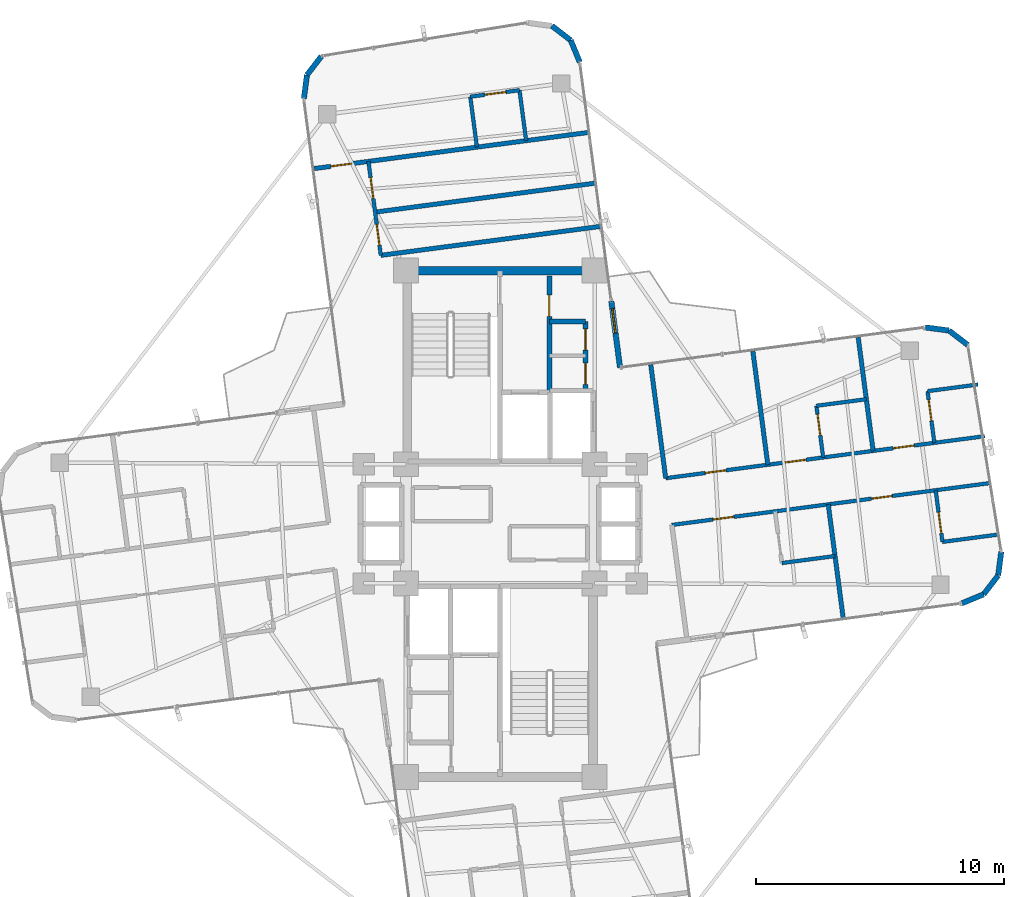
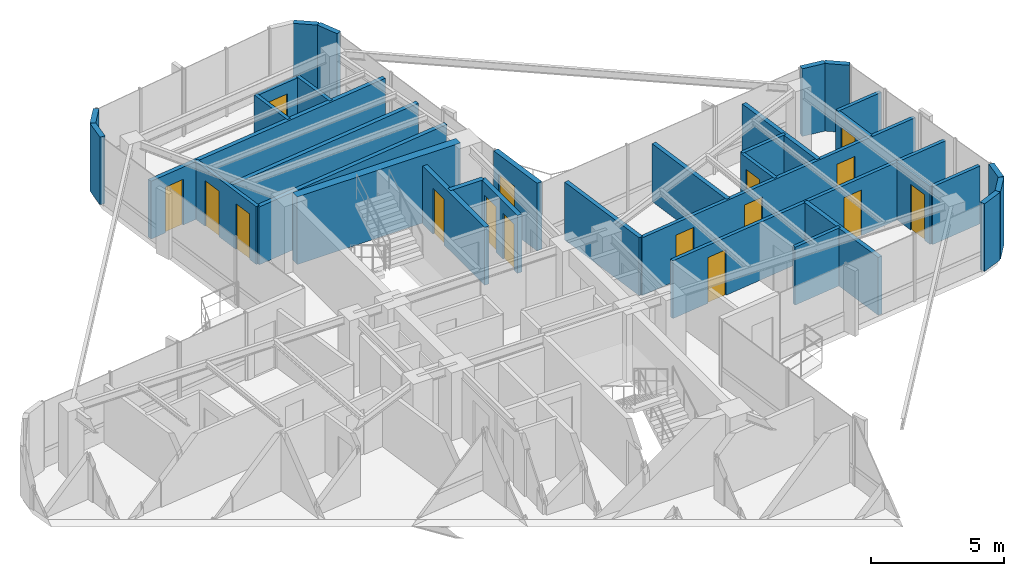
# One storey, part 21 of 23: 34 walls, 16 doors, 16 openings.
"""IFC4 building model written with IfcOpenShell, lengths in metres."""

import ifcopenshell
import ifcopenshell.guid

model = None  # the IFC model being written
_history = None  # IfcOwnerHistory: only IFC2X3 demands one
_inside = {}  # id of a spatial element -> (the spatial element, [elements in it])
_under = {}  # id of a project, library or spatial element -> (it, [spatial elements below it])
_declared = {}  # id of a project -> (the project, [libraries it declares])
_typed = {}  # id of a type object -> (the type object, [elements of that type])
_made_of = {}  # id of a material, layer set ... -> (it, [elements and type objects made of it])


def new_model(schema):
    """Start an empty IFC model of exactly this schema.

    Asked for "IFC4X3", IfcOpenShell would pick the latest addendum, in which some entities
    have other attributes; the version numbers below select the first issue.
    IFC2X3 requires an IfcOwnerHistory on every rooted entity: one is made here for all.
    """
    global model, _history
    if schema == "IFC4X3":
        model = ifcopenshell.file(schema_version=(4, 3, 0, 0))
    else:
        model = ifcopenshell.file(schema=schema)
    _inside.clear()
    _under.clear()
    _declared.clear()
    _typed.clear()
    _made_of.clear()
    _history = None
    if model.schema == "IFC2X3":
        org = make("IfcOrganization", Name="unknown")
        user = make(
            "IfcPersonAndOrganization",
            ThePerson=make("IfcPerson", FamilyName="unknown"),
            TheOrganization=org,
        )
        app = make(
            "IfcApplication",
            ApplicationDeveloper=org,
            Version="unknown",
            ApplicationFullName="unknown",
            ApplicationIdentifier="unknown",
        )
        _history = make(
            "IfcOwnerHistory",
            OwningUser=user,
            OwningApplication=app,
            ChangeAction="ADDED",
            CreationDate=0,
        )
    return model


def make(cls, **values):
    """One entity of the class cls with the attributes given. An attribute that is None is left unset."""
    return model.create_entity(
        cls, **{name: value for name, value in values.items() if value is not None}
    )


def rooted(cls, **values):
    """An entity with a GlobalId (a new one), such as an element, a storey or a relation."""
    return make(cls, GlobalId=ifcopenshell.guid.new(), OwnerHistory=_history, **values)


def si_unit(unit_type, name, prefix=None):
    """IfcSIUnit, for example si_unit("LENGTHUNIT", "METRE", prefix="MILLI")."""
    return make("IfcSIUnit", UnitType=unit_type, Prefix=prefix, Name=name)


def assignment(units):
    """IfcUnitAssignment: the units of a project."""
    return None if units is None else make("IfcUnitAssignment", Units=units)


def point(xyz):
    """IfcCartesianPoint."""
    return None if xyz is None else make("IfcCartesianPoint", Coordinates=xyz)


def direction(xyz):
    """IfcDirection."""
    return None if xyz is None else make("IfcDirection", DirectionRatios=xyz)


def frame(location, z_axis=None, x_axis=None):
    """IfcAxis2Placement3D, a coordinate frame: its origin and axes. An axis left out is left unset."""
    return make(
        "IfcAxis2Placement3D",
        Location=point(location),
        Axis=direction(z_axis),
        RefDirection=direction(x_axis),
    )


def frame_2d(location, x_axis=None):
    """IfcAxis2Placement2D, a coordinate frame in the plane: its origin and x axis."""
    return make(
        "IfcAxis2Placement2D", Location=point(location), RefDirection=direction(x_axis)
    )


def origin():
    """The frame at (0, 0, 0) with its axes left unset."""
    return frame((0.0, 0.0, 0.0))


def origin_2d():
    """The frame at (0, 0) in the plane with its x axis left unset."""
    return frame_2d((0.0, 0.0))


def place(relative_to, where):
    """IfcLocalPlacement: puts the frame where relative to a parent placement (None: the world)."""
    return make(
        "IfcLocalPlacement", PlacementRelTo=relative_to, RelativePlacement=where
    )


def context(
    kind, dimensions, precision=None, world=None, true_north=None, identifier=None
):
    """IfcGeometricRepresentationContext, for example the 3D "Model" context."""
    return make(
        "IfcGeometricRepresentationContext",
        ContextIdentifier=identifier,
        ContextType=kind,
        CoordinateSpaceDimension=dimensions,
        Precision=precision,
        WorldCoordinateSystem=world,
        TrueNorth=true_north,
    )


def subcontext(parent, identifier, kind, view, scale=None):
    """IfcGeometricRepresentationSubContext, for example "Body" below "Model"."""
    return make(
        "IfcGeometricRepresentationSubContext",
        ContextIdentifier=identifier,
        ContextType=kind,
        ParentContext=parent,
        TargetScale=scale,
        TargetView=view,
    )


def project(units=None, contexts=None):
    """IfcProject with its units and contexts."""
    return rooted(
        "IfcProject",
        Name="project",
        RepresentationContexts=contexts,
        UnitsInContext=assignment(units),
    )


def spatial(cls, under=None, at=None, **own):
    """A site, building, storey or space (cls), placed at a placement, below another one or the project."""
    s = rooted(cls, ObjectPlacement=at, **own)
    if under is not None:
        _under.setdefault(under.id(), (under, []))[1].append(s)
    return s


def profile(cls, at=None, kind="AREA", **sizes):
    """A parametric profile (cls). Its sizes go by their IFC names, for example OverallWidth=200.0."""
    return make(cls, ProfileType=kind, Position=at, **sizes)


def rectangle(**sizes):
    """IfcRectangleProfileDef."""
    return profile("IfcRectangleProfileDef", **sizes)


def extrude(swept, where, along, depth):
    """IfcExtrudedAreaSolid: the profile swept, set in the frame where, extruded along a direction by depth."""
    return make(
        "IfcExtrudedAreaSolid",
        SweptArea=swept,
        Position=where,
        ExtrudedDirection=direction(along),
        Depth=depth,
    )


def shape(context_of_items, identifier, shape_type, items):
    """IfcShapeRepresentation: the items that make up one representation, for example the "Body"."""
    return make(
        "IfcShapeRepresentation",
        ContextOfItems=context_of_items,
        RepresentationIdentifier=identifier,
        RepresentationType=shape_type,
        Items=items,
    )


def source(mapping_origin, context_of_items, identifier, shape_type, items):
    """IfcRepresentationMap: a shape defined once, which mapped items show again and again."""
    return make(
        "IfcRepresentationMap",
        MappingOrigin=mapping_origin,
        MappedRepresentation=shape(context_of_items, identifier, shape_type, items),
    )


def transform(
    local_origin,
    x_axis=None,
    y_axis=None,
    z_axis=None,
    scale=None,
    scale2=None,
    scale3=None,
    uniform=True,
):
    """IfcCartesianTransformationOperator3D, or its non-uniform kind. x_axis, y_axis, z_axis: its Axis1, 2, 3."""
    if uniform:
        return make(
            "IfcCartesianTransformationOperator3D",
            Axis1=direction(x_axis),
            Axis2=direction(y_axis),
            LocalOrigin=point(local_origin),
            Scale=scale,
            Axis3=direction(z_axis),
        )
    return make(
        "IfcCartesianTransformationOperator3DnonUniform",
        Axis1=direction(x_axis),
        Axis2=direction(y_axis),
        LocalOrigin=point(local_origin),
        Scale=scale,
        Axis3=direction(z_axis),
        Scale2=scale2,
        Scale3=scale3,
    )


def mapped(mapping_source, mapping_target):
    """IfcMappedItem: shows the shape of a source again, moved by a transform."""
    return make(
        "IfcMappedItem", MappingSource=mapping_source, MappingTarget=mapping_target
    )


def material(Name=None, Category=None):
    """IfcMaterial."""
    return make("IfcMaterial", Name=Name, Category=Category)


def layer(
    of_material, thickness, ventilated=None, Name=None, Category=None, Priority=None
):
    """IfcMaterialLayer: one layer of a wall or slab, of a material (None: an air gap)."""
    return make(
        "IfcMaterialLayer",
        Material=of_material,
        LayerThickness=thickness,
        IsVentilated=ventilated,
        Name=Name,
        Category=Category,
        Priority=Priority,
    )


def layer_set(layers, Name=None):
    """IfcMaterialLayerSet."""
    return make("IfcMaterialLayerSet", MaterialLayers=layers, LayerSetName=Name)


def made_of(thing, what):
    """Note that an element or type object is made of a material, layer set ...; save() writes the relation."""
    if what is not None:
        _made_of.setdefault(what.id(), (what, []))[1].append(thing)
    return thing


def type_object(cls, material=None, **own):
    """A type object (cls), such as IfcWallType, which elements share."""
    return made_of(rooted(cls, **own), material)


def element(
    cls,
    number,
    at=None,
    inside=None,
    cuts=None,
    type_object=None,
    material=None,
    context=None,
    identifier="Body",
    shape_type=None,
    held_by="IfcProductDefinitionShape",
    body=None,
    shapes=None,
    **own,
):
    """One element of the class cls, such as IfcWall. Its Tag is "e" and its number.

    at: its placement. inside: the storey or other place that contains it. cuts: it is an
    opening in that element (IfcRelVoidsElement). A single representation is given by context,
    identifier, shape_type and body (its items); several are given by shapes. held_by: the class
    of the entity that holds the representations. save() writes the other relations.
    """
    e = rooted(cls, Tag="e%d" % number, ObjectPlacement=at, **own)
    if body is not None:
        shapes = [shape(context, identifier, shape_type, body)]
    if shapes is not None:
        e.Representation = make(held_by, Representations=shapes)
    if inside is not None:
        _inside.setdefault(inside.id(), (inside, []))[1].append(e)
    if cuts is not None:
        rooted(
            "IfcRelVoidsElement", RelatingBuildingElement=cuts, RelatedOpeningElement=e
        )
    if type_object is not None:
        _typed.setdefault(type_object.id(), (type_object, []))[1].append(e)
    return made_of(e, material)


def fill(opening, filler):
    """IfcRelFillsElement: the door or window that sits in an opening."""
    return rooted(
        "IfcRelFillsElement",
        RelatingOpeningElement=opening,
        RelatedBuildingElement=filler,
    )


def aggregate(whole, parts):
    """IfcRelAggregates: a whole, such as a stair, and the parts it consists of."""
    return rooted("IfcRelAggregates", RelatingObject=whole, RelatedObjects=parts)


def save(model, path):
    """Write the relations noted so far, then the file.

    IfcRelAggregates (storeys below a building ...), IfcRelContainedInSpatialStructure (elements
    in a storey), IfcRelDefinesByType, IfcRelAssociatesMaterial and IfcRelDeclares: one each for
    every whole, place, type object, material and project.
    """
    for whole, parts in _under.values():
        aggregate(whole, parts)
    for where, things in _inside.values():
        rooted(
            "IfcRelContainedInSpatialStructure",
            RelatedElements=things,
            RelatingStructure=where,
        )
    for kind, things in _typed.values():
        rooted("IfcRelDefinesByType", RelatedObjects=things, RelatingType=kind)
    for what, things in _made_of.values():
        rooted("IfcRelAssociatesMaterial", RelatedObjects=things, RelatingMaterial=what)
    for by, libraries in _declared.values():
        rooted("IfcRelDeclares", RelatingContext=by, RelatedDefinitions=libraries)
    model.write(path)


model = new_model("IFC4")

# Units and contexts
model_context = context("Model", 3, precision=1e-05, world=origin(), true_north=direction((0.0, 1.0)))
body_context = subcontext(model_context, "Body", "Model", "MODEL_VIEW")
ifc_project = project(units=[si_unit("LENGTHUNIT", "METRE"), si_unit("AREAUNIT", "SQUARE_METRE"), si_unit("VOLUMEUNIT", "CUBIC_METRE"), si_unit("PLANEANGLEUNIT", "RADIAN"), si_unit("MASSUNIT", "GRAM", prefix="KILO")], contexts=[model_context])

# Site, building, storey
site_placement = place(None, origin())
site = spatial("IfcSite", under=ifc_project, at=site_placement, CompositionType="ELEMENT")
building_placement = place(site_placement, origin())
building = spatial("IfcBuilding", under=site, at=building_placement, Name="Sahyath Konkavel Grand Hotel", CompositionType="ELEMENT")
storey_placement = place(building_placement, frame((0.0, 0.0, 251.199951171875)))
storey = spatial("IfcBuildingStorey", under=building, at=storey_placement, Name="L70", CompositionType="ELEMENT", Elevation=251.199951171875)

# Walls
ifc_material_1 = material(Name="Concrete C40/50", Category="concrete")
ifc_layer_1 = layer(ifc_material_1, 0.35009765625)
ifc_layer_set_1 = layer_set([ifc_layer_1], Name="Concrete C40/50")
wall_type_1 = type_object("IfcWallType", Name="CWALL-350", PredefinedType="SHEAR", material=ifc_layer_set_1)
wall_1_placement = place(storey_placement, frame((-3.550048828125, 10.199951171875, 0.0), z_axis=(0.0, 0.0, 1.0), x_axis=(1.0, 0.0, 0.0)))
element("IfcWall", 1, at=wall_1_placement, inside=storey, type_object=wall_type_1, Name="L70 North Core Shear Wall N", PredefinedType="SHEAR", context=body_context, shape_type="SweptSolid", body=[
    extrude(rectangle(XDim=7.10009765625, YDim=0.35009765625, at=frame_2d((3.550048828125, 0.0))), origin(), (0.0, 0.0, 1.0), 3.110107421875),
])
ifc_material_2 = material(Name="Warm Buff Sandstone Insulated Concrete C40/50", Category="masonry")
ifc_layer_2 = layer(ifc_material_2, 0.219970703125)
ifc_layer_set_2 = layer_set([ifc_layer_2], Name="Warm Buff Sandstone Insulated Concrete C40/50")
wall_type_2 = type_object("IfcWallType", Name="WLL-BALC-THRESH", PredefinedType="STANDARD", material=ifc_layer_set_2)
wall_2_placement = place(storey_placement, frame((18.594970703125, -3.208251953125, 0.0), z_axis=(0.0, 0.0, 1.0), x_axis=(0.923852099304, 0.382749655273, 0.0)))
element("IfcWall", 2, at=wall_2_placement, inside=storey, type_object=wall_type_2, Name="L70 Rounded Corner Sandstone Pier 1", PredefinedType="STANDARD", context=body_context, shape_type="SweptSolid", body=[
    extrude(rectangle(XDim=0.95751953125, YDim=0.219970703125, at=frame_2d((0.478759765625, 0.0))), origin(), (0.0, 0.0, 1.0), 3.110107421875),
])
wall_3_placement = place(storey_placement, frame((19.4794921875, -2.841796875, 0.0), z_axis=(0.0, 0.0, 1.0), x_axis=(0.608774010809, 0.793343685778, 0.0)))
element("IfcWall", 3, at=wall_3_placement, inside=storey, type_object=wall_type_2, Name="L70 Rounded Corner Sandstone Pier 2", PredefinedType="STANDARD", context=body_context, shape_type="SweptSolid", body=[
    extrude(rectangle(XDim=0.957763671875, YDim=0.219970703125, at=frame_2d((0.47900390625, 0.0))), origin(), (0.0, 0.0, 1.0), 3.110107421875),
])
wall_4_placement = place(storey_placement, frame((20.0625, -2.08203125, 0.0), z_axis=(0.0, 0.0, 1.0), x_axis=(0.13056005306, 0.991440402921, 0.0)))
element("IfcWall", 4, at=wall_4_placement, inside=storey, type_object=wall_type_2, Name="L70 Rounded Corner Sandstone Pier 3", PredefinedType="STANDARD", context=body_context, shape_type="SweptSolid", body=[
    extrude(rectangle(XDim=0.95751953125, YDim=0.219970703125, at=frame_2d((0.478759765625, 0.0))), origin(), (0.0, 0.0, 1.0), 3.110107421875),
])
for number, where, z_axis, x_axis, name in (
    (5, (18.840087890625, 7.20361328125, 0.0), (0.0, 0.0, 1.0), (-0.793343685778, 0.608774010809, 0.0), "L70 Rounded Corner Sandstone Pier 5"),
    (6, (18.080322265625, 7.78662109375, 0.0), (0.0, 0.0, 1.0), (-0.991444747987, 0.130527053476, 0.0), "L70 Rounded Corner Sandstone Pier 6"),
):
    element("IfcWall", number, at=place(storey_placement, frame(where, z_axis=z_axis, x_axis=x_axis)), inside=storey, type_object=wall_type_2, Name=name, PredefinedType="STANDARD", context=body_context, shape_type="SweptSolid", body=[
        extrude(rectangle(XDim=0.957763671875, YDim=0.219970703125, at=frame_2d((0.47900390625, 0.0))), origin(), (0.0, 0.0, 1.0), 3.110107421875),
    ])

# Wall, opening, door
wall_5_placement = place(storey_placement, frame((4.827880859375, 6.2919921875, 0.0), z_axis=(0.0, 0.0, 1.0), x_axis=(-0.130475563272, 0.991451525486, 0.0)))
wall_5 = element("IfcWall", 7, at=wall_5_placement, inside=storey, type_object=wall_type_2, Name="L70 Winter-Garden Threshold Wall 8", PredefinedType="STANDARD", context=body_context, shape_type="SweptSolid", body=[
    extrude(rectangle(XDim=2.7001953125, YDim=0.219970703125, at=frame_2d((1.35009765625, 0.0))), origin(), (0.0, 0.0, 1.0), 3.110107421875),
])
opening_1_placement = place(wall_5_placement, frame((1.39990234375, 0.0, 0.0)))
opening_1 = element("IfcOpeningElement", 8, at=opening_1_placement, cuts=wall_5, Name="Opening D-TR1", PredefinedType="OPENING", context=body_context, shape_type="SweptSolid", body=[
    extrude(rectangle(XDim=1.0, YDim=2.199951171875, at=frame_2d((0.5, 1.10009765625))), frame((0.0, 0.1201171875, 0.0), z_axis=(0.0, -1.0, 0.0), x_axis=(1.0, 0.0, 0.0)), (0.0, 0.0, 1.0), 0.239990234375),
])
ifc_material_3 = material(Name="Anodised Bronze Aluminium & Low-E Glazing", Category="aluminium")
door_type_1 = type_object("IfcDoorType", Name="DR-TERRACE-1000", OperationType="NOTDEFINED", PredefinedType="DOOR", material=ifc_material_3)
shared_shape_1 = source(origin(), body_context, "Body", "SweptSolid", [
    extrude(rectangle(XDim=1.0, YDim=0.050048828125, at=origin_2d()), origin(), (0.0, 0.0, 1.0), 2.199951171875),
])
door_1_placement = place(opening_1_placement, frame((0.5, 0.0, 0.0)))
door_1 = element("IfcDoor", 9, at=door_1_placement, inside=storey, type_object=door_type_1, Name="L70 Winter-Garden Terrace Door 8", OperationType="SINGLE_SWING_LEFT", OverallHeight=2.199951171875, OverallWidth=1.0, PredefinedType="DOOR", context=body_context, shape_type="MappedRepresentation", body=[
    mapped(shared_shape_1, transform((0.0, 0.0, 0.0), scale=1.0)),
])
fill(opening_1, door_1)

# Walls
wall_6_placement = place(storey_placement, frame((3.208251953125, 18.594970703125, 0.0), z_axis=(0.0, 0.0, 1.0), x_axis=(-0.382749655273, 0.923852099304, 0.0)))
element("IfcWall", 10, at=wall_6_placement, inside=storey, type_object=wall_type_2, Name="L70 Rounded Corner Sandstone Pier 9", PredefinedType="STANDARD", context=body_context, shape_type="SweptSolid", body=[
    extrude(rectangle(XDim=0.95751953125, YDim=0.219970703125, at=frame_2d((0.478759765625, 0.0))), origin(), (0.0, 0.0, 1.0), 3.110107421875),
])
for number, where, z_axis, x_axis, name in (
    (11, (2.841796875, 19.4794921875, 0.0), (0.0, 0.0, 1.0), (-0.793343685778, 0.608774010809, 0.0), "L70 Rounded Corner Sandstone Pier 10"),
    (12, (-7.20361328125, 18.840087890625, 0.0), (0.0, 0.0, 1.0), (-0.608774010809, -0.793343685778, 0.0), "L70 Rounded Corner Sandstone Pier 13"),
    (13, (-7.78662109375, 18.080322265625, 0.0), (0.0, 0.0, 1.0), (-0.130527053476, -0.991444747987, 0.0), "L70 Rounded Corner Sandstone Pier 14"),
):
    element("IfcWall", number, at=place(storey_placement, frame(where, z_axis=z_axis, x_axis=x_axis)), inside=storey, type_object=wall_type_2, Name=name, PredefinedType="STANDARD", context=body_context, shape_type="SweptSolid", body=[
        extrude(rectangle(XDim=0.957763671875, YDim=0.219970703125, at=frame_2d((0.47900390625, 0.0))), origin(), (0.0, 0.0, 1.0), 3.110107421875),
    ])

# Wall, opening, door
ifc_layer_3 = layer(ifc_material_1, 0.199951171875)
ifc_layer_set_3 = layer_set([ifc_layer_3], Name="Concrete C40/50")
wall_type_3 = type_object("IfcWallType", Name="WLL-CORE-200", PredefinedType="SOLIDWALL", material=ifc_layer_set_3)
wall_7_placement = place(storey_placement, frame((1.97998046875, 5.320068359375, 0.0), z_axis=(0.0, 0.0, 1.0), x_axis=(0.0, 1.0, 0.0)))
wall_7 = element("IfcWall", 14, at=wall_7_placement, inside=storey, type_object=wall_type_3, Name="L70 North Firefighting Lobby Wall E", PredefinedType="SOLIDWALL", context=body_context, shape_type="SweptSolid", body=[
    extrude(rectangle(XDim=4.659912109375, YDim=0.199951171875, at=frame_2d((2.330078125, 0.0))), origin(), (0.0, 0.0, 1.0), 2.66015625),
])
opening_2_placement = place(wall_7_placement, frame((3.0400390625, 0.0, 0.0)))
opening_2 = element("IfcOpeningElement", 15, at=opening_2_placement, cuts=wall_7, Name="Opening D-F12D", PredefinedType="OPENING", context=body_context, shape_type="SweptSolid", body=[
    extrude(rectangle(XDim=0.85009765625, YDim=2.10009765625, at=frame_2d((0.425048828125, 1.050048828125))), frame((0.0, 0.10986328125, 0.0), z_axis=(0.0, -1.0, 0.0), x_axis=(1.0, 0.0, 0.0)), (0.0, 0.0, 1.0), 0.219970703125),
])
ifc_material_4 = material(Name="Steel E350 Core Fire Door", Category="steel")
door_type_2 = type_object("IfcDoorType", Name="DR-FD120-850", OperationType="NOTDEFINED", PredefinedType="DOOR", material=ifc_material_4)
shared_shape_2 = source(origin(), body_context, "Body", "SweptSolid", [
    extrude(rectangle(XDim=0.85009765625, YDim=0.050048828125, at=origin_2d()), origin(), (0.0, 0.0, 1.0), 2.10009765625),
])
door_2_placement = place(opening_2_placement, frame((0.425048828125, 0.0, 0.0)))
door_2 = element("IfcDoor", 16, at=door_2_placement, inside=storey, type_object=door_type_2, Name="L70 North Firefighting Lobby Door", OperationType="SINGLE_SWING_RIGHT", OverallHeight=2.10009765625, OverallWidth=0.85009765625, PredefinedType="DOOR", context=body_context, shape_type="MappedRepresentation", body=[
    mapped(shared_shape_2, transform((0.0, 0.0, 0.0), scale=1.0)),
])
fill(opening_2, door_2)

# Wall, openings, doors
wall_8_placement = place(storey_placement, frame((3.43994140625, 5.3798828125, 0.0), z_axis=(0.0, 0.0, 1.0), x_axis=(0.0, 1.0, 0.0)))
wall_8 = element("IfcWall", 17, at=wall_8_placement, inside=storey, type_object=wall_type_3, Name="L70 Reclaimed North Core Wall E", PredefinedType="SOLIDWALL", context=body_context, shape_type="SweptSolid", body=[
    extrude(rectangle(XDim=2.77001953125, YDim=0.199951171875, at=frame_2d((1.385009765625, 0.0))), origin(), (0.0, 0.0, 1.0), 2.66015625),
])
opening_3_placement = place(wall_8_placement, frame((0.239990234375, 0.0, 0.0)))
opening_3 = element("IfcOpeningElement", 18, at=opening_3_placement, cuts=wall_8, Name="Opening D-F06D", PredefinedType="OPENING", context=body_context, shape_type="SweptSolid", body=[
    extrude(rectangle(XDim=0.85009765625, YDim=2.10009765625, at=frame_2d((0.425048828125, 1.050048828125))), frame((0.0, 0.10986328125, 0.0), z_axis=(0.0, -1.0, 0.0), x_axis=(1.0, 0.0, 0.0)), (0.0, 0.0, 1.0), 0.219970703125),
])
opening_4_placement = place(wall_8_placement, frame((1.6201171875, 0.0, 0.0)))
opening_4 = element("IfcOpeningElement", 19, at=opening_4_placement, cuts=wall_8, Name="Opening D-F06D", PredefinedType="OPENING", context=body_context, shape_type="SweptSolid", body=[
    extrude(rectangle(XDim=0.85009765625, YDim=2.10009765625, at=frame_2d((0.425048828125, 1.050048828125))), frame((0.0, 0.10986328125, 0.0), z_axis=(0.0, -1.0, 0.0), x_axis=(1.0, 0.0, 0.0)), (0.0, 0.0, 1.0), 0.219970703125),
])
ifc_material_5 = material(Name="Fire-Rated Shaft Access Door")
door_type_3 = type_object("IfcDoorType", Name="DR-FD60-850", OperationType="NOTDEFINED", PredefinedType="DOOR", material=ifc_material_5)
door_3_placement = place(opening_3_placement, frame((0.425048828125, 0.0, 0.0)))
door_3 = element("IfcDoor", 20, at=door_3_placement, inside=storey, type_object=door_type_3, Name="L70 Door NC-REC1-D", OperationType="SINGLE_SWING_RIGHT", OverallHeight=2.10009765625, OverallWidth=0.85009765625, PredefinedType="DOOR", context=body_context, shape_type="MappedRepresentation", body=[
    mapped(shared_shape_2, transform((0.0, 0.0, 0.0), scale=1.0)),
])
fill(opening_3, door_3)
door_4_placement = place(opening_4_placement, frame((0.425048828125, 0.0, 0.0)))
door_4 = element("IfcDoor", 21, at=door_4_placement, inside=storey, type_object=door_type_3, Name="L70 Door NC-REC2-D", OperationType="SINGLE_SWING_LEFT", OverallHeight=2.10009765625, OverallWidth=0.85009765625, PredefinedType="DOOR", context=body_context, shape_type="MappedRepresentation", body=[
    mapped(shared_shape_2, transform((0.0, 0.0, 0.0), scale=1.0)),
])
fill(opening_4, door_4)

# Walls
wall_9_placement = place(storey_placement, frame((1.97998046875, 8.14990234375, 0.0), z_axis=(0.0, 0.0, 1.0), x_axis=(1.0, 0.0, 0.0)))
element("IfcWall", 22, at=wall_9_placement, inside=storey, type_object=wall_type_3, Name="L70 Partition NC-REC-N", PredefinedType="SOLIDWALL", context=body_context, shape_type="SweptSolid", body=[
    extrude(rectangle(XDim=1.4599609375, YDim=0.199951171875, at=frame_2d((0.72998046875, 0.0))), origin(), (0.0, 0.0, 1.0), 2.66015625),
])
ifc_material_6 = material(Name="Twin-Stud Acoustic Gypsum Plasterboard Partition")
ifc_layer_4 = layer(ifc_material_6, 0.179931640625)
ifc_layer_set_4 = layer_set([ifc_layer_4], Name="Twin-Stud Acoustic Gypsum Plasterboard Partition")
wall_type_4 = type_object("IfcWallType", Name="WLL-DEMISE-180", PredefinedType="PARTITIONING", material=ifc_layer_set_4)
for number, where, z_axis, x_axis, name in (
    (23, (6.66748046875, 1.8359375, 0.0), (0.0, 0.0, 1.0), (-0.130546336939, 0.991442209063, 0.0), "L70 Partition E-INL"),
    (24, (10.781005859375, 2.37744140625, 0.0), (0.0, 0.0, 1.0), (-0.130546336939, 0.991442209063, 0.0), "L70 Partition E-E1L-DEM"),
    (25, (15.0244140625, 2.936279296875, 0.0), (0.0, 0.0, 1.0), (-0.130546336939, 0.991442209063, 0.0), "L70 Partition E-E2L-DEM"),
):
    element("IfcWall", number, at=place(storey_placement, frame(where, z_axis=z_axis, x_axis=x_axis)), inside=storey, type_object=wall_type_4, Name=name, PredefinedType="PARTITIONING", context=body_context, shape_type="SweptSolid", body=[
        extrude(rectangle(XDim=4.608154296875, YDim=0.179931640625, at=frame_2d((2.30419921875, 0.0))), origin(), (0.0, 0.0, 1.0), 2.66015625),
    ])
wall_10_placement = place(storey_placement, frame((13.215087890625, 0.781494140625, 0.0), z_axis=(0.0, 0.0, 1.0), x_axis=(0.130494257859, -0.991449065089, 0.0)))
element("IfcWall", 26, at=wall_10_placement, inside=storey, type_object=wall_type_4, Name="L70 Partition E-E1R-DEM", PredefinedType="PARTITIONING", context=body_context, shape_type="SweptSolid", body=[
    extrude(rectangle(XDim=4.60791015625, YDim=0.179931640625, at=frame_2d((2.303955078125, 0.0))), origin(), (0.0, 0.0, 1.0), 2.66015625),
])
wall_11_placement = place(storey_placement, frame((4.029052734375, 11.978515625, 0.0), z_axis=(0.0, 0.0, 1.0), x_axis=(-0.991444413588, -0.130529593448, 0.0)))
element("IfcWall", 27, at=wall_11_placement, inside=storey, type_object=wall_type_4, Name="L70 Partition N-G5I", PredefinedType="PARTITIONING", context=body_context, shape_type="SweptSolid", body=[
    extrude(rectangle(XDim=8.916015625, YDim=0.179931640625, at=frame_2d((4.4580078125, 0.0))), origin(), (0.0, 0.0, 1.0), 2.66015625),
])
wall_12_placement = place(storey_placement, frame((-5.039794921875, 12.5556640625, 0.0), z_axis=(0.0, 0.0, 1.0), x_axis=(0.991447490446, 0.130506220882, 0.0)))
element("IfcWall", 28, at=wall_12_placement, inside=storey, type_object=wall_type_4, Name="L70 Partition N-ND1-DEM", PredefinedType="PARTITIONING", context=body_context, shape_type="SweptSolid", body=[
    extrude(rectangle(XDim=8.915771484375, YDim=0.179931640625, at=frame_2d((4.4580078125, 0.0))), origin(), (0.0, 0.0, 1.0), 2.66015625),
])

# Wall, opening, door
wall_13_placement = place(storey_placement, frame((3.53076171875, 15.7626953125, 0.0), z_axis=(0.0, 0.0, 1.0), x_axis=(-0.991444649322, -0.130527802905, 0.0)))
wall_13 = element("IfcWall", 29, at=wall_13_placement, inside=storey, type_object=wall_type_4, Name="L70 Partition N-NTIP-END", PredefinedType="PARTITIONING", context=body_context, shape_type="SweptSolid", body=[
    extrude(rectangle(XDim=11.115966796875, YDim=0.179931640625, at=frame_2d((5.55810546875, 0.0))), origin(), (0.0, 0.0, 1.0), 2.66015625),
])
opening_5_placement = place(wall_13_placement, frame((9.591064453125, 0.0, 0.0)))
opening_5 = element("IfcOpeningElement", 30, at=opening_5_placement, cuts=wall_13, Name="Opening D-F06D", PredefinedType="OPENING", context=body_context, shape_type="SweptSolid", body=[
    extrude(rectangle(XDim=0.85009765625, YDim=2.10009765625, at=frame_2d((0.425048828125, 1.050048828125))), frame((0.0, 0.10009765625, 0.0), z_axis=(0.0, -1.0, 0.0), x_axis=(1.0, 0.0, 0.0)), (0.0, 0.0, 1.0), 0.199951171875),
])
door_5_placement = place(opening_5_placement, frame((0.425048828125, 0.0, 0.0)))
door_5 = element("IfcDoor", 31, at=door_5_placement, inside=storey, type_object=door_type_3, Name="L70 Door N-NTIP-ED", OperationType="SINGLE_SWING_RIGHT", OverallHeight=2.10009765625, OverallWidth=0.85009765625, PredefinedType="DOOR", context=body_context, shape_type="MappedRepresentation", body=[
    mapped(shared_shape_2, transform((0.0, 0.0, 0.0), scale=1.0)),
])
fill(opening_5, door_5)

# Wall, openings, doors
ifc_material_7 = material(Name="Fire-Rated Gypsum Plasterboard Partition")
ifc_layer_5 = layer(ifc_material_7, 0.14990234375)
ifc_layer_set_5 = layer_set([ifc_layer_5], Name="Fire-Rated Gypsum Plasterboard Partition")
wall_type_5 = type_object("IfcWallType", Name="WLL-PART-150", PredefinedType="PARTITIONING", material=ifc_layer_set_5)
wall_14_placement = place(storey_placement, frame((6.66748046875, 1.8359375, 0.0), z_axis=(0.0, 0.0, 1.0), x_axis=(0.991443782493, 0.130534386874, 0.0)))
wall_14 = element("IfcWall", 32, at=wall_14_placement, inside=storey, type_object=wall_type_5, Name="L70 Partition E-CL", PredefinedType="PARTITIONING", context=body_context, shape_type="SweptSolid", body=[
    extrude(rectangle(XDim=12.966796875, YDim=0.14990234375, at=frame_2d((6.4833984375, 0.0))), origin(), (0.0, 0.0, 1.0), 2.66015625),
])
opening_6_placement = place(wall_14_placement, frame((1.60009765625, 0.0, 0.0)))
opening_6 = element("IfcOpeningElement", 33, at=opening_6_placement, cuts=wall_14, Name="Opening D-F06D", PredefinedType="OPENING", context=body_context, shape_type="SweptSolid", body=[
    extrude(rectangle(XDim=0.85009765625, YDim=2.10009765625, at=frame_2d((0.425048828125, 1.050048828125))), frame((0.0, 0.0849609375, 0.0), z_axis=(0.0, -1.0, 0.0), x_axis=(1.0, 0.0, 0.0)), (0.0, 0.0, 1.0), 0.169921875),
])
opening_7_placement = place(wall_14_placement, frame((4.84912109375, 0.0, 0.0)))
opening_7 = element("IfcOpeningElement", 34, at=opening_7_placement, cuts=wall_14, Name="Opening D-F06D", PredefinedType="OPENING", context=body_context, shape_type="SweptSolid", body=[
    extrude(rectangle(XDim=0.85009765625, YDim=2.10009765625, at=frame_2d((0.425048828125, 1.050048828125))), frame((0.0, 0.0849609375, 0.0), z_axis=(0.0, -1.0, 0.0), x_axis=(1.0, 0.0, 0.0)), (0.0, 0.0, 1.0), 0.169921875),
])
opening_8_placement = place(wall_14_placement, frame((9.248046875, 0.0, 0.0)))
opening_8 = element("IfcOpeningElement", 35, at=opening_8_placement, cuts=wall_14, Name="Opening D-F06D", PredefinedType="OPENING", context=body_context, shape_type="SweptSolid", body=[
    extrude(rectangle(XDim=0.85009765625, YDim=2.10009765625, at=frame_2d((0.425048828125, 1.050048828125))), frame((0.0, 0.0849609375, 0.0), z_axis=(0.0, -1.0, 0.0), x_axis=(1.0, 0.0, 0.0)), (0.0, 0.0, 1.0), 0.169921875),
])
door_6_placement = place(opening_6_placement, frame((0.425048828125, 0.0, 0.0)))
door_6 = element("IfcDoor", 36, at=door_6_placement, inside=storey, type_object=door_type_3, Name="L70 Door E-E1L-D", OperationType="SINGLE_SWING_RIGHT", OverallHeight=2.10009765625, OverallWidth=0.85009765625, PredefinedType="DOOR", context=body_context, shape_type="MappedRepresentation", body=[
    mapped(shared_shape_2, transform((0.0, 0.0, 0.0), scale=1.0)),
])
fill(opening_6, door_6)
door_7_placement = place(opening_7_placement, frame((0.425048828125, 0.0, 0.0)))
door_7 = element("IfcDoor", 37, at=door_7_placement, inside=storey, type_object=door_type_3, Name="L70 Door E-E2L-ED", OperationType="SINGLE_SWING_RIGHT", OverallHeight=2.10009765625, OverallWidth=0.85009765625, PredefinedType="DOOR", context=body_context, shape_type="MappedRepresentation", body=[
    mapped(shared_shape_2, transform((0.0, 0.0, 0.0), scale=1.0)),
])
fill(opening_7, door_7)
door_8_placement = place(opening_8_placement, frame((0.425048828125, 0.0, 0.0)))
door_8 = element("IfcDoor", 38, at=door_8_placement, inside=storey, type_object=door_type_3, Name="L70 Door E-E3L-ED", OperationType="SINGLE_SWING_RIGHT", OverallHeight=2.10009765625, OverallWidth=0.85009765625, PredefinedType="DOOR", context=body_context, shape_type="MappedRepresentation", body=[
    mapped(shared_shape_2, transform((0.0, 0.0, 0.0), scale=1.0)),
])
fill(opening_8, door_8)

wall_15_placement = place(storey_placement, frame((6.915283203125, -0.0478515625, 0.0), z_axis=(0.0, 0.0, 1.0), x_axis=(0.991444103298, 0.130531950249, 0.0)))
wall_15 = element("IfcWall", 39, at=wall_15_placement, inside=storey, type_object=wall_type_5, Name="L70 Partition E-CR", PredefinedType="PARTITIONING", context=body_context, shape_type="SweptSolid", body=[
    extrude(rectangle(XDim=12.967041015625, YDim=0.14990234375, at=frame_2d((6.4833984375, 0.0))), origin(), (0.0, 0.0, 1.0), 2.66015625),
])
opening_9_placement = place(wall_15_placement, frame((1.672119140625, 0.0, 0.0)))
opening_9 = element("IfcOpeningElement", 40, at=opening_9_placement, cuts=wall_15, Name="Opening D-F06D", PredefinedType="OPENING", context=body_context, shape_type="SweptSolid", body=[
    extrude(rectangle(XDim=0.85009765625, YDim=2.10009765625, at=frame_2d((0.425048828125, 1.050048828125))), frame((0.0, 0.0849609375, 0.0), z_axis=(0.0, -1.0, 0.0), x_axis=(1.0, 0.0, 0.0)), (0.0, 0.0, 1.0), 0.169921875),
])
opening_10_placement = place(wall_15_placement, frame((8.111083984375, 0.0, 0.0)))
opening_10 = element("IfcOpeningElement", 41, at=opening_10_placement, cuts=wall_15, Name="Opening D-F06D", PredefinedType="OPENING", context=body_context, shape_type="SweptSolid", body=[
    extrude(rectangle(XDim=0.85009765625, YDim=2.10009765625, at=frame_2d((0.425048828125, 1.050048828125))), frame((0.0, 0.0849609375, 0.0), z_axis=(0.0, -1.0, 0.0), x_axis=(1.0, 0.0, 0.0)), (0.0, 0.0, 1.0), 0.169921875),
])
door_9_placement = place(opening_9_placement, frame((0.425048828125, 0.0, 0.0)))
door_9 = element("IfcDoor", 42, at=door_9_placement, inside=storey, type_object=door_type_3, Name="L70 Door E-E1R-ED", OperationType="SINGLE_SWING_RIGHT", OverallHeight=2.10009765625, OverallWidth=0.85009765625, PredefinedType="DOOR", context=body_context, shape_type="MappedRepresentation", body=[
    mapped(shared_shape_2, transform((0.0, 0.0, 0.0), scale=1.0)),
])
fill(opening_9, door_9)
door_10_placement = place(opening_10_placement, frame((0.425048828125, 0.0, 0.0)))
door_10 = element("IfcDoor", 43, at=door_10_placement, inside=storey, type_object=door_type_3, Name="L70 Door E-E2R-ED", OperationType="SINGLE_SWING_RIGHT", OverallHeight=2.10009765625, OverallWidth=0.85009765625, PredefinedType="DOOR", context=body_context, shape_type="MappedRepresentation", body=[
    mapped(shared_shape_2, transform((0.0, 0.0, 0.0), scale=1.0)),
])
fill(opening_10, door_10)

# Wall, opening, door
wall_16_placement = place(storey_placement, frame((13.01171875, 2.671142578125, 0.0), z_axis=(0.0, 0.0, 1.0), x_axis=(-0.130556761174, 0.991440836415, 0.0)))
wall_16 = element("IfcWall", 44, at=wall_16_placement, inside=storey, type_object=wall_type_5, Name="L70 Partition E-E2L-BS", PredefinedType="PARTITIONING", context=body_context, shape_type="SweptSolid", body=[
    extrude(rectangle(XDim=2.10009765625, YDim=0.14990234375, at=frame_2d((1.050048828125, 0.0))), origin(), (0.0, 0.0, 1.0), 2.66015625),
])
opening_11_placement = place(wall_16_placement, frame((0.89990234375, 0.0, 0.0)))
opening_11 = element("IfcOpeningElement", 45, at=opening_11_placement, cuts=wall_16, Name="Opening D-BT85", PredefinedType="OPENING", context=body_context, shape_type="SweptSolid", body=[
    extrude(rectangle(XDim=0.85009765625, YDim=2.10009765625, at=frame_2d((0.425048828125, 1.050048828125))), frame((0.0, 0.0849609375, 0.0), z_axis=(0.0, -1.0, 0.0), x_axis=(1.0, 0.0, 0.0)), (0.0, 0.0, 1.0), 0.169921875),
])
ifc_material_8 = material(Name="Moisture-Resistant Teak Bathroom Door")
door_type_4 = type_object("IfcDoorType", Name="DR-BATH-850", OperationType="NOTDEFINED", PredefinedType="DOOR", material=ifc_material_8)
door_11_placement = place(opening_11_placement, frame((0.425048828125, 0.0, 0.0)))
door_11 = element("IfcDoor", 46, at=door_11_placement, inside=storey, type_object=door_type_4, Name="L70 Door E-E2L-BD", OperationType="SINGLE_SWING_LEFT", OverallHeight=2.10009765625, OverallWidth=0.85009765625, PredefinedType="DOOR", context=body_context, shape_type="MappedRepresentation", body=[
    mapped(shared_shape_2, transform((0.0, 0.0, 0.0), scale=1.0)),
])
fill(opening_11, door_11)

# Wall
wall_17_placement = place(storey_placement, frame((12.737548828125, 4.753173828125, 0.0), z_axis=(0.0, 0.0, 1.0), x_axis=(0.991434636424, 0.130603834929, 0.0)))
element("IfcWall", 47, at=wall_17_placement, inside=storey, type_object=wall_type_5, Name="L70 Partition E-E2L-BF", PredefinedType="PARTITIONING", context=body_context, shape_type="SweptSolid", body=[
    extrude(rectangle(XDim=2.030029296875, YDim=0.14990234375, at=frame_2d((1.01513671875, 0.0))), origin(), (0.0, 0.0, 1.0), 2.66015625),
])

# Wall, opening, door
wall_18_placement = place(storey_placement, frame((17.490966796875, 3.260986328125, 0.0), z_axis=(0.0, 0.0, 1.0), x_axis=(-0.130556761174, 0.991440836415, 0.0)))
wall_18 = element("IfcWall", 48, at=wall_18_placement, inside=storey, type_object=wall_type_5, Name="L70 Partition E-E3L-BS", PredefinedType="PARTITIONING", context=body_context, shape_type="SweptSolid", body=[
    extrude(rectangle(XDim=2.10009765625, YDim=0.14990234375, at=frame_2d((1.050048828125, 0.0))), origin(), (0.0, 0.0, 1.0), 2.66015625),
])
opening_12_placement = place(wall_18_placement, frame((0.89990234375, 0.0, 0.0)))
opening_12 = element("IfcOpeningElement", 49, at=opening_12_placement, cuts=wall_18, Name="Opening D-BT85", PredefinedType="OPENING", context=body_context, shape_type="SweptSolid", body=[
    extrude(rectangle(XDim=0.85009765625, YDim=2.10009765625, at=frame_2d((0.425048828125, 1.050048828125))), frame((0.0, 0.0849609375, 0.0), z_axis=(0.0, -1.0, 0.0), x_axis=(1.0, 0.0, 0.0)), (0.0, 0.0, 1.0), 0.169921875),
])
door_12_placement = place(opening_12_placement, frame((0.425048828125, 0.0, 0.0)))
door_12 = element("IfcDoor", 50, at=door_12_placement, inside=storey, type_object=door_type_4, Name="L70 Door E-E3L-BD", OperationType="SINGLE_SWING_LEFT", OverallHeight=2.10009765625, OverallWidth=0.85009765625, PredefinedType="DOOR", context=body_context, shape_type="MappedRepresentation", body=[
    mapped(shared_shape_2, transform((0.0, 0.0, 0.0), scale=1.0)),
])
fill(opening_12, door_12)

# Walls
wall_19_placement = place(storey_placement, frame((17.216796875, 5.343017578125, 0.0), z_axis=(0.0, 0.0, 1.0), x_axis=(0.991446998513, 0.130509958008, 0.0)))
element("IfcWall", 51, at=wall_19_placement, inside=storey, type_object=wall_type_5, Name="L70 Partition E-E3L-BF", PredefinedType="PARTITIONING", context=body_context, shape_type="SweptSolid", body=[
    extrude(rectangle(XDim=2.05029296875, YDim=0.14990234375, at=frame_2d((1.025146484375, 0.0))), origin(), (0.0, 0.0, 1.0), 2.66015625),
])
wall_20_placement = place(storey_placement, frame((11.34765625, -1.58251953125, 0.0), z_axis=(0.0, 0.0, 1.0), x_axis=(0.991426187054, 0.130667959438, 0.0)))
element("IfcWall", 52, at=wall_20_placement, inside=storey, type_object=wall_type_5, Name="L70 Partition E-E1R-BF", PredefinedType="PARTITIONING", context=body_context, shape_type="SweptSolid", body=[
    extrude(rectangle(XDim=2.159912109375, YDim=0.14990234375, at=frame_2d((1.080078125, 0.0))), origin(), (0.0, 0.0, 1.0), 2.66015625),
])

# Wall, opening, door
wall_21_placement = place(storey_placement, frame((17.542724609375, 1.351318359375, 0.0), z_axis=(0.0, 0.0, 1.0), x_axis=(0.130556761174, -0.991440836415, 0.0)))
wall_21 = element("IfcWall", 53, at=wall_21_placement, inside=storey, type_object=wall_type_5, Name="L70 Partition E-E2R-BS", PredefinedType="PARTITIONING", context=body_context, shape_type="SweptSolid", body=[
    extrude(rectangle(XDim=2.10009765625, YDim=0.14990234375, at=frame_2d((1.050048828125, 0.0))), origin(), (0.0, 0.0, 1.0), 2.66015625),
])
opening_13_placement = place(wall_21_placement, frame((0.89990234375, 0.0, 0.0)))
opening_13 = element("IfcOpeningElement", 54, at=opening_13_placement, cuts=wall_21, Name="Opening D-BT85", PredefinedType="OPENING", context=body_context, shape_type="SweptSolid", body=[
    extrude(rectangle(XDim=0.85009765625, YDim=2.10009765625, at=frame_2d((0.425048828125, 1.050048828125))), frame((0.0, 0.0849609375, 0.0), z_axis=(0.0, -1.0, 0.0), x_axis=(1.0, 0.0, 0.0)), (0.0, 0.0, 1.0), 0.169921875),
])
door_13_placement = place(opening_13_placement, frame((0.425048828125, 0.0, 0.0)))
door_13 = element("IfcDoor", 55, at=door_13_placement, inside=storey, type_object=door_type_4, Name="L70 Door E-E2R-BD", OperationType="SINGLE_SWING_LEFT", OverallHeight=2.10009765625, OverallWidth=0.85009765625, PredefinedType="DOOR", context=body_context, shape_type="MappedRepresentation", body=[
    mapped(shared_shape_2, transform((0.0, 0.0, 0.0), scale=1.0)),
])
fill(opening_13, door_13)

# Wall
wall_22_placement = place(storey_placement, frame((17.81689453125, -0.730712890625, 0.0), z_axis=(0.0, 0.0, 1.0), x_axis=(0.991442832516, 0.130541602003, 0.0)))
element("IfcWall", 56, at=wall_22_placement, inside=storey, type_object=wall_type_5, Name="L70 Partition E-E2R-BF", PredefinedType="PARTITIONING", context=body_context, shape_type="SweptSolid", body=[
    extrude(rectangle(XDim=2.248046875, YDim=0.14990234375, at=frame_2d((1.1240234375, 0.0))), origin(), (0.0, 0.0, 1.0), 2.66015625),
])

# Wall, openings, doors
wall_23_placement = place(storey_placement, frame((-4.810791015625, 10.814697265625, 0.0), z_axis=(0.0, 0.0, 1.0), x_axis=(-0.130550479699, 0.991441663564, 0.0)))
wall_23 = element("IfcWall", 57, at=wall_23_placement, inside=storey, type_object=wall_type_5, Name="L70 Partition N-G5W", PredefinedType="PARTITIONING", context=body_context, shape_type="SweptSolid", body=[
    extrude(rectangle(XDim=3.81689453125, YDim=0.14990234375, at=frame_2d((1.908447265625, 0.0))), origin(), (0.0, 0.0, 1.0), 2.66015625),
])
opening_14_placement = place(wall_23_placement, frame((0.403076171875, 0.0, 0.0)))
opening_14 = element("IfcOpeningElement", 58, at=opening_14_placement, cuts=wall_23, Name="Opening D-F06D", PredefinedType="OPENING", context=body_context, shape_type="SweptSolid", body=[
    extrude(rectangle(XDim=0.85009765625, YDim=2.10009765625, at=frame_2d((0.425048828125, 1.050048828125))), frame((0.0, 0.0849609375, 0.0), z_axis=(0.0, -1.0, 0.0), x_axis=(1.0, 0.0, 0.0)), (0.0, 0.0, 1.0), 0.169921875),
])
opening_15_placement = place(wall_23_placement, frame((2.31201171875, 0.0, 0.0)))
opening_15 = element("IfcOpeningElement", 59, at=opening_15_placement, cuts=wall_23, Name="Opening D-F06D", PredefinedType="OPENING", context=body_context, shape_type="SweptSolid", body=[
    extrude(rectangle(XDim=0.85009765625, YDim=2.10009765625, at=frame_2d((0.425048828125, 1.050048828125))), frame((0.0, 0.0849609375, 0.0), z_axis=(0.0, -1.0, 0.0), x_axis=(1.0, 0.0, 0.0)), (0.0, 0.0, 1.0), 0.169921875),
])
door_14_placement = place(opening_14_placement, frame((0.425048828125, 0.0, 0.0)))
door_14 = element("IfcDoor", 60, at=door_14_placement, inside=storey, type_object=door_type_3, Name="L70 Door N-ND1-D", OperationType="SINGLE_SWING_LEFT", OverallHeight=2.10009765625, OverallWidth=0.85009765625, PredefinedType="DOOR", context=body_context, shape_type="MappedRepresentation", body=[
    mapped(shared_shape_2, transform((0.0, 0.0, 0.0), scale=1.0)),
])
fill(opening_14, door_14)
door_15_placement = place(opening_15_placement, frame((0.425048828125, 0.0, 0.0)))
door_15 = element("IfcDoor", 61, at=door_15_placement, inside=storey, type_object=door_type_3, Name="L70 Door N-ND2-D", OperationType="SINGLE_SWING_RIGHT", OverallHeight=2.10009765625, OverallWidth=0.85009765625, PredefinedType="DOOR", context=body_context, shape_type="MappedRepresentation", body=[
    mapped(shared_shape_2, transform((0.0, 0.0, 0.0), scale=1.0)),
])
fill(opening_15, door_15)

# Walls
for number, where, z_axis, x_axis, name in (
    (62, (-0.938720703125, 15.17431640625, 0.0), (0.0, 0.0, 1.0), (-0.13052536781, 0.991444969909, 0.0), "L70 Partition N-NTIP-BN"),
    (63, (1.044189453125, 15.435302734375, 0.0), (0.0, 0.0, 1.0), (-0.13052536781, 0.991444969909, 0.0), "L70 Partition N-NTIP-BS"),
):
    element("IfcWall", number, at=place(storey_placement, frame(where, z_axis=z_axis, x_axis=x_axis)), inside=storey, type_object=wall_type_5, Name=name, PredefinedType="PARTITIONING", context=body_context, shape_type="SweptSolid", body=[
        extrude(rectangle(XDim=2.050048828125, YDim=0.14990234375, at=frame_2d((1.02490234375, 0.0))), origin(), (0.0, 0.0, 1.0), 2.66015625),
    ])

# Wall, opening, door
wall_24_placement = place(storey_placement, frame((0.776611328125, 17.4677734375, 0.0), z_axis=(0.0, 0.0, 1.0), x_axis=(-0.991449308994, -0.130492404742, 0.0)))
wall_24 = element("IfcWall", 64, at=wall_24_placement, inside=storey, type_object=wall_type_5, Name="L70 Partition N-NTIP-BE", PredefinedType="PARTITIONING", context=body_context, shape_type="SweptSolid", body=[
    extrude(rectangle(XDim=2.0, YDim=0.14990234375, at=frame_2d((1.0, 0.0))), origin(), (0.0, 0.0, 1.0), 2.630126953125),
])
opening_16_placement = place(wall_24_placement, frame((0.550048828125, 0.0, 0.0)))
opening_16 = element("IfcOpeningElement", 65, at=opening_16_placement, cuts=wall_24, Name="Opening D-BT85", PredefinedType="OPENING", context=body_context, shape_type="SweptSolid", body=[
    extrude(rectangle(XDim=0.85009765625, YDim=2.10009765625, at=frame_2d((0.425048828125, 1.050048828125))), frame((0.0, 0.0849609375, 0.0), z_axis=(0.0, -1.0, 0.0), x_axis=(1.0, 0.0, 0.0)), (0.0, 0.0, 1.0), 0.169921875),
])
door_16_placement = place(opening_16_placement, frame((0.425048828125, 0.0, 0.0)))
door_16 = element("IfcDoor", 66, at=door_16_placement, inside=storey, type_object=door_type_4, Name="L70 Door N-NTIP-BD", OperationType="SINGLE_SWING_LEFT", OverallHeight=2.10009765625, OverallWidth=0.85009765625, PredefinedType="DOOR", context=body_context, shape_type="MappedRepresentation", body=[
    mapped(shared_shape_2, transform((0.0, 0.0, 0.0), scale=1.0)),
])
fill(opening_16, door_16)

save(model, "model.ifc")
